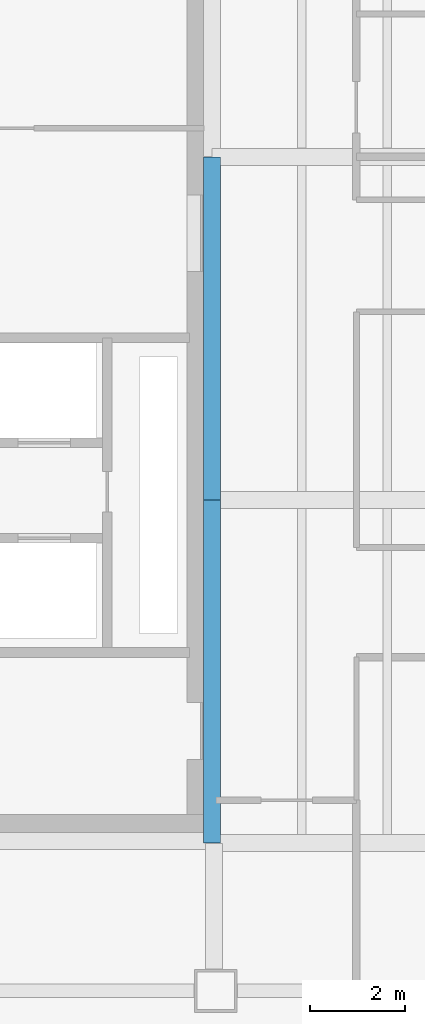
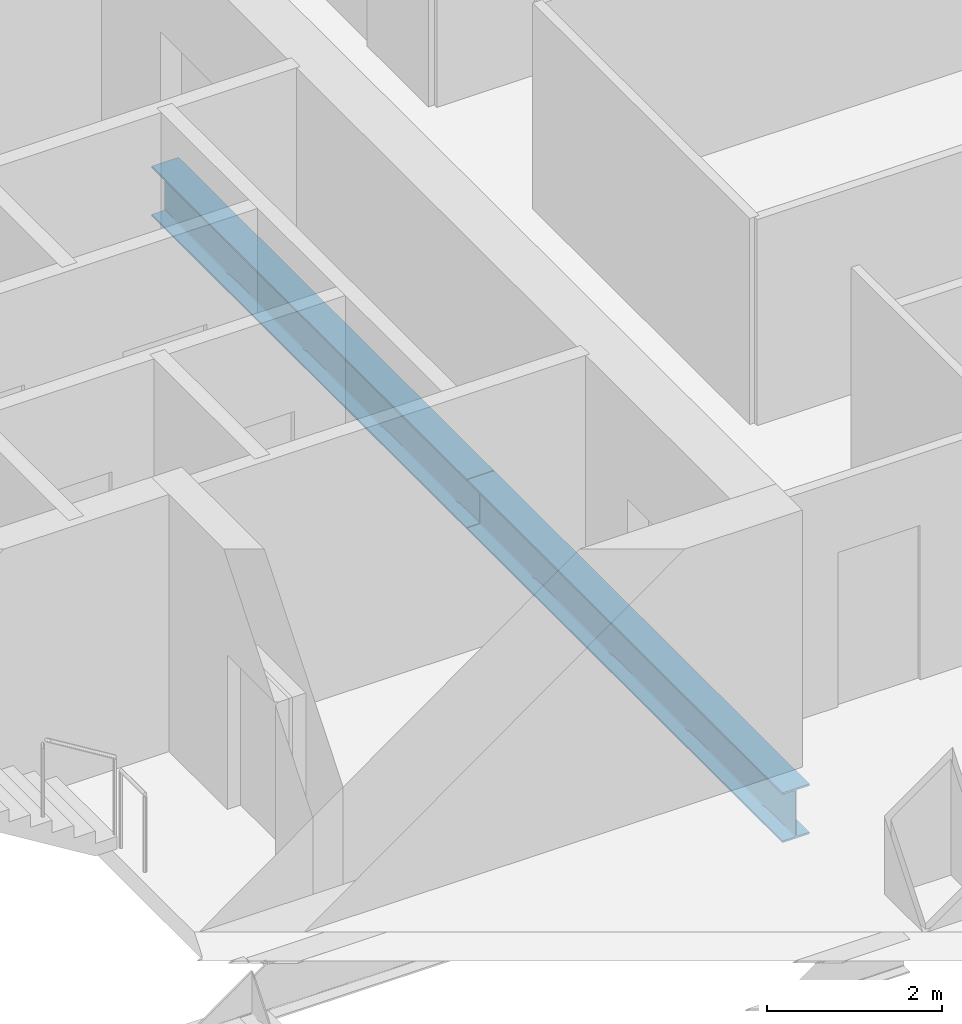
# One storey, part 3 of 23: 2 beams.
"""IFC4 building model written with IfcOpenShell, lengths in metres."""

from ifc_helpers import new_model, si_unit, direction, frame, origin, origin_2d, place, context, subcontext, project, spatial, i_section, extrude, material, material_profile, profile_set, type_object, element, save


model = new_model("IFC4")

# Units and contexts
model_context = context("Model", 3, precision=1e-05, world=origin(), true_north=direction((0.0, 1.0)))
body_context = subcontext(model_context, "Body", "Model", "MODEL_VIEW")
ifc_project = project(units=[si_unit("LENGTHUNIT", "METRE"), si_unit("AREAUNIT", "SQUARE_METRE"), si_unit("VOLUMEUNIT", "CUBIC_METRE"), si_unit("PLANEANGLEUNIT", "RADIAN"), si_unit("MASSUNIT", "GRAM", prefix="KILO")], contexts=[model_context])

# Site, building, storey
site_placement = place(None, origin())
site = spatial("IfcSite", under=ifc_project, at=site_placement, CompositionType="ELEMENT")
building_placement = place(site_placement, origin())
building = spatial("IfcBuilding", under=site, at=building_placement, Name="Cobrela Telecom Tower", CompositionType="ELEMENT")
storey_placement = place(building_placement, frame((0.0, 0.0, 133.0)))
storey = spatial("IfcBuildingStorey", under=building, at=storey_placement, Name="L33", CompositionType="ELEMENT", Elevation=133.0)

# Beams
ifc_material = material(Name="Steel ASTM A992 Grade 50", Category="steel")
ifc_material_profile = material_profile(ifc_material, i_section(OverallWidth=0.35595703125, OverallDepth=0.696044921875, WebThickness=0.015380859375, FlangeThickness=0.024658203125, FilletRadius=0.01806640625, at=origin_2d()), Name="W27X146")
ifc_profile_set = profile_set([ifc_material_profile], Name="Steel ASTM A992 Grade 50")
beam_type = type_object("IfcBeamType", Name="BM-GIRD-05", PredefinedType="USERDEFINED", material=ifc_profile_set)
for number, where, z_axis, x_axis, name in (
    (1, (14.320068359375, 7.205078125, -0.617919921875), (0.0, 1.0, 0.0), (-1.0, 0.0, 0.0), "L33 Primary Girder Y34"),
    (2, (14.320068359375, 14.405029296875, -0.617919921875), (0.0, 1.0, 0.0), (-1.0, 0.0, 0.0), "L33 Primary Girder Y35"),
):
    element("IfcBeam", number, at=place(storey_placement, frame(where, z_axis=z_axis, x_axis=x_axis)), inside=storey, type_object=beam_type, Name=name, ObjectType="GIRDER", PredefinedType="USERDEFINED", context=body_context, shape_type="SweptSolid", body=[
        extrude(i_section(OverallWidth=0.35595703125, OverallDepth=0.696044921875, WebThickness=0.015380859375, FlangeThickness=0.024658203125, FilletRadius=0.01806640625, at=origin_2d()), origin(), (0.0, 0.0, 1.0), 7.18994140625),
    ])

save(model, "model.ifc")
